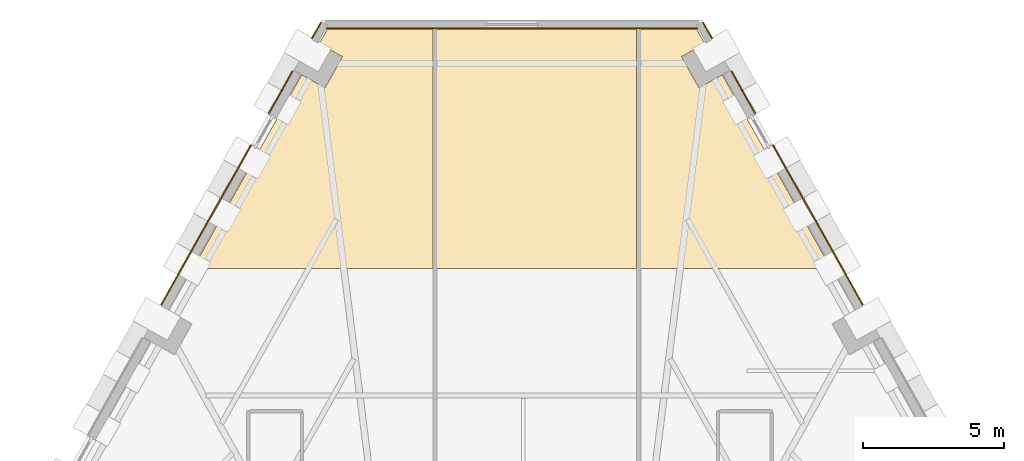
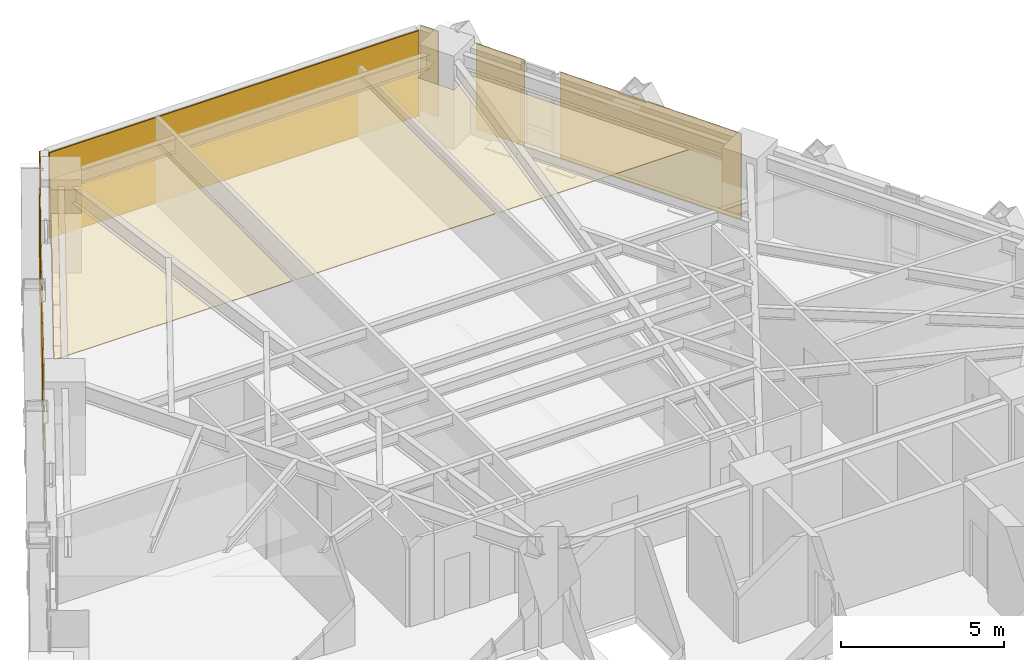
# One storey, part 13 of 13: 10 coverings.
"""IFC4 building model written with IfcOpenShell, lengths in metres."""

import ifcopenshell
import ifcopenshell.guid

model = None  # the IFC model being written
_history = None  # IfcOwnerHistory: only IFC2X3 demands one
_inside = {}  # id of a spatial element -> (the spatial element, [elements in it])
_under = {}  # id of a project, library or spatial element -> (it, [spatial elements below it])
_declared = {}  # id of a project -> (the project, [libraries it declares])
_typed = {}  # id of a type object -> (the type object, [elements of that type])
_made_of = {}  # id of a material, layer set ... -> (it, [elements and type objects made of it])


def new_model(schema):
    """Start an empty IFC model of exactly this schema.

    Asked for "IFC4X3", IfcOpenShell would pick the latest addendum, in which some entities
    have other attributes; the version numbers below select the first issue.
    IFC2X3 requires an IfcOwnerHistory on every rooted entity: one is made here for all.
    """
    global model, _history
    if schema == "IFC4X3":
        model = ifcopenshell.file(schema_version=(4, 3, 0, 0))
    else:
        model = ifcopenshell.file(schema=schema)
    _inside.clear()
    _under.clear()
    _declared.clear()
    _typed.clear()
    _made_of.clear()
    _history = None
    if model.schema == "IFC2X3":
        org = make("IfcOrganization", Name="unknown")
        user = make(
            "IfcPersonAndOrganization",
            ThePerson=make("IfcPerson", FamilyName="unknown"),
            TheOrganization=org,
        )
        app = make(
            "IfcApplication",
            ApplicationDeveloper=org,
            Version="unknown",
            ApplicationFullName="unknown",
            ApplicationIdentifier="unknown",
        )
        _history = make(
            "IfcOwnerHistory",
            OwningUser=user,
            OwningApplication=app,
            ChangeAction="ADDED",
            CreationDate=0,
        )
    return model


def make(cls, **values):
    """One entity of the class cls with the attributes given. An attribute that is None is left unset."""
    return model.create_entity(
        cls, **{name: value for name, value in values.items() if value is not None}
    )


def rooted(cls, **values):
    """An entity with a GlobalId (a new one), such as an element, a storey or a relation."""
    return make(cls, GlobalId=ifcopenshell.guid.new(), OwnerHistory=_history, **values)


def si_unit(unit_type, name, prefix=None):
    """IfcSIUnit, for example si_unit("LENGTHUNIT", "METRE", prefix="MILLI")."""
    return make("IfcSIUnit", UnitType=unit_type, Prefix=prefix, Name=name)


def assignment(units):
    """IfcUnitAssignment: the units of a project."""
    return None if units is None else make("IfcUnitAssignment", Units=units)


def point(xyz):
    """IfcCartesianPoint."""
    return None if xyz is None else make("IfcCartesianPoint", Coordinates=xyz)


def direction(xyz):
    """IfcDirection."""
    return None if xyz is None else make("IfcDirection", DirectionRatios=xyz)


def frame(location, z_axis=None, x_axis=None):
    """IfcAxis2Placement3D, a coordinate frame: its origin and axes. An axis left out is left unset."""
    return make(
        "IfcAxis2Placement3D",
        Location=point(location),
        Axis=direction(z_axis),
        RefDirection=direction(x_axis),
    )


def origin():
    """The frame at (0, 0, 0) with its axes left unset."""
    return frame((0.0, 0.0, 0.0))


def place(relative_to, where):
    """IfcLocalPlacement: puts the frame where relative to a parent placement (None: the world)."""
    return make(
        "IfcLocalPlacement", PlacementRelTo=relative_to, RelativePlacement=where
    )


def context(
    kind, dimensions, precision=None, world=None, true_north=None, identifier=None
):
    """IfcGeometricRepresentationContext, for example the 3D "Model" context."""
    return make(
        "IfcGeometricRepresentationContext",
        ContextIdentifier=identifier,
        ContextType=kind,
        CoordinateSpaceDimension=dimensions,
        Precision=precision,
        WorldCoordinateSystem=world,
        TrueNorth=true_north,
    )


def subcontext(parent, identifier, kind, view, scale=None):
    """IfcGeometricRepresentationSubContext, for example "Body" below "Model"."""
    return make(
        "IfcGeometricRepresentationSubContext",
        ContextIdentifier=identifier,
        ContextType=kind,
        ParentContext=parent,
        TargetScale=scale,
        TargetView=view,
    )


def project(units=None, contexts=None):
    """IfcProject with its units and contexts."""
    return rooted(
        "IfcProject",
        Name="project",
        RepresentationContexts=contexts,
        UnitsInContext=assignment(units),
    )


def spatial(cls, under=None, at=None, **own):
    """A site, building, storey or space (cls), placed at a placement, below another one or the project."""
    s = rooted(cls, ObjectPlacement=at, **own)
    if under is not None:
        _under.setdefault(under.id(), (under, []))[1].append(s)
    return s


def polyline(points):
    """IfcPolyline through the points."""
    return make("IfcPolyline", Points=[point(p) for p in points])


def outline(outer, holes=None, kind="AREA"):
    """IfcArbitraryClosedProfileDef: a profile drawn as a closed curve; with holes, ...WithVoids."""
    if holes is None:
        return make("IfcArbitraryClosedProfileDef", ProfileType=kind, OuterCurve=outer)
    return make(
        "IfcArbitraryProfileDefWithVoids",
        ProfileType=kind,
        OuterCurve=outer,
        InnerCurves=holes,
    )


def extrude(swept, where, along, depth):
    """IfcExtrudedAreaSolid: the profile swept, set in the frame where, extruded along a direction by depth."""
    return make(
        "IfcExtrudedAreaSolid",
        SweptArea=swept,
        Position=where,
        ExtrudedDirection=direction(along),
        Depth=depth,
    )


def shape(context_of_items, identifier, shape_type, items):
    """IfcShapeRepresentation: the items that make up one representation, for example the "Body"."""
    return make(
        "IfcShapeRepresentation",
        ContextOfItems=context_of_items,
        RepresentationIdentifier=identifier,
        RepresentationType=shape_type,
        Items=items,
    )


def material(Name=None, Category=None):
    """IfcMaterial."""
    return make("IfcMaterial", Name=Name, Category=Category)


def layer(
    of_material, thickness, ventilated=None, Name=None, Category=None, Priority=None
):
    """IfcMaterialLayer: one layer of a wall or slab, of a material (None: an air gap)."""
    return make(
        "IfcMaterialLayer",
        Material=of_material,
        LayerThickness=thickness,
        IsVentilated=ventilated,
        Name=Name,
        Category=Category,
        Priority=Priority,
    )


def layer_set(layers, Name=None):
    """IfcMaterialLayerSet."""
    return make("IfcMaterialLayerSet", MaterialLayers=layers, LayerSetName=Name)


def made_of(thing, what):
    """Note that an element or type object is made of a material, layer set ...; save() writes the relation."""
    if what is not None:
        _made_of.setdefault(what.id(), (what, []))[1].append(thing)
    return thing


def type_object(cls, material=None, **own):
    """A type object (cls), such as IfcWallType, which elements share."""
    return made_of(rooted(cls, **own), material)


def element(
    cls,
    number,
    at=None,
    inside=None,
    cuts=None,
    type_object=None,
    material=None,
    context=None,
    identifier="Body",
    shape_type=None,
    held_by="IfcProductDefinitionShape",
    body=None,
    shapes=None,
    **own,
):
    """One element of the class cls, such as IfcWall. Its Tag is "e" and its number.

    at: its placement. inside: the storey or other place that contains it. cuts: it is an
    opening in that element (IfcRelVoidsElement). A single representation is given by context,
    identifier, shape_type and body (its items); several are given by shapes. held_by: the class
    of the entity that holds the representations. save() writes the other relations.
    """
    e = rooted(cls, Tag="e%d" % number, ObjectPlacement=at, **own)
    if body is not None:
        shapes = [shape(context, identifier, shape_type, body)]
    if shapes is not None:
        e.Representation = make(held_by, Representations=shapes)
    if inside is not None:
        _inside.setdefault(inside.id(), (inside, []))[1].append(e)
    if cuts is not None:
        rooted(
            "IfcRelVoidsElement", RelatingBuildingElement=cuts, RelatedOpeningElement=e
        )
    if type_object is not None:
        _typed.setdefault(type_object.id(), (type_object, []))[1].append(e)
    return made_of(e, material)


def aggregate(whole, parts):
    """IfcRelAggregates: a whole, such as a stair, and the parts it consists of."""
    return rooted("IfcRelAggregates", RelatingObject=whole, RelatedObjects=parts)


def save(model, path):
    """Write the relations noted so far, then the file.

    IfcRelAggregates (storeys below a building ...), IfcRelContainedInSpatialStructure (elements
    in a storey), IfcRelDefinesByType, IfcRelAssociatesMaterial and IfcRelDeclares: one each for
    every whole, place, type object, material and project.
    """
    for whole, parts in _under.values():
        aggregate(whole, parts)
    for where, things in _inside.values():
        rooted(
            "IfcRelContainedInSpatialStructure",
            RelatedElements=things,
            RelatingStructure=where,
        )
    for kind, things in _typed.values():
        rooted("IfcRelDefinesByType", RelatedObjects=things, RelatingType=kind)
    for what, things in _made_of.values():
        rooted("IfcRelAssociatesMaterial", RelatedObjects=things, RelatingMaterial=what)
    for by, libraries in _declared.values():
        rooted("IfcRelDeclares", RelatingContext=by, RelatedDefinitions=libraries)
    model.write(path)


model = new_model("IFC4")

# Units and contexts
model_context = context("Model", 3, precision=1e-05, world=origin(), true_north=direction((0.0, 1.0)))
body_context = subcontext(model_context, "Body", "Model", "MODEL_VIEW")
ifc_project = project(units=[si_unit("LENGTHUNIT", "METRE"), si_unit("AREAUNIT", "SQUARE_METRE"), si_unit("VOLUMEUNIT", "CUBIC_METRE"), si_unit("PLANEANGLEUNIT", "RADIAN"), si_unit("MASSUNIT", "GRAM", prefix="KILO")], contexts=[model_context])

# Site, building, storey
site_placement = place(None, origin())
site = spatial("IfcSite", under=ifc_project, at=site_placement, CompositionType="ELEMENT")
building_placement = place(site_placement, origin())
building = spatial("IfcBuilding", under=site, at=building_placement, Name="Quenlor Broadcast Tower", CompositionType="ELEMENT")
storey_placement = place(building_placement, frame((0.0, 0.0, 66.10009765625)))
storey = spatial("IfcBuildingStorey", under=building, at=storey_placement, Name="L17", CompositionType="ELEMENT", Elevation=66.10009765625)

# Coverings
ifc_material_1 = material(Name="Acoustic Mineral Fibre Board", Category="other")
ifc_layer_1 = layer(ifc_material_1, 0.02490234375)
ifc_layer_set_1 = layer_set([ifc_layer_1], Name="Acoustic Perforated Mineral Tile Ceiling 25")
covering_type_1 = type_object("IfcCoveringType", Name="Acoustic Perforated Mineral Tile Ceiling 25", PredefinedType="CEILING", material=ifc_layer_set_1)
covering_1_placement = place(storey_placement, frame((0.0, 0.0, 2.224853515625)))
element("IfcCovering", 1, at=covering_1_placement, inside=storey, type_object=covering_type_1, Name="L17 Acoustic Ceiling L17-33-2", PredefinedType="CEILING", context=body_context, shape_type="SweptSolid", body=[
    extrude(outline(polyline([(-7.431396484375, 19.4951171875), (-6.609619140625, 19.03271484375), (-5.989013671875, 20.135986328125), (-6.810791015625, 20.598388671875), (-6.533203125, 21.092041015625), (-2.800048828125, 21.092041015625), (-2.800048828125, 12.64990234375), (-11.28173828125, 12.64990234375), (-7.431396484375, 19.4951171875)])), origin(), (0.0, 0.0, 1.0), 0.025146484375),
])
covering_2_placement = place(storey_placement, frame((0.0, 0.0, 2.224853515625)))
element("IfcCovering", 2, at=covering_2_placement, inside=storey, type_object=covering_type_1, Name="L17 Acoustic Ceiling L17-34-2", PredefinedType="CEILING", context=body_context, shape_type="SweptSolid", body=[
    extrude(outline(polyline([(-2.679931640625, 21.092041015625), (4.39990234375, 21.092041015625), (4.39990234375, 12.64990234375), (-2.679931640625, 12.64990234375), (-2.679931640625, 21.092041015625)])), origin(), (0.0, 0.0, 1.0), 0.025146484375),
])
covering_3_placement = place(storey_placement, frame((0.0, 0.0, 2.224853515625)))
element("IfcCovering", 3, at=covering_3_placement, inside=storey, type_object=covering_type_1, Name="L17 Acoustic Ceiling L17-35-2", PredefinedType="CEILING", context=body_context, shape_type="SweptSolid", body=[
    extrude(outline(polyline([(6.609619140625, 19.03271484375), (7.431396484375, 19.4951171875), (11.28173828125, 12.64990234375), (4.52001953125, 12.64990234375), (4.52001953125, 21.092041015625), (6.533203125, 21.092041015625), (6.810791015625, 20.598388671875), (5.989013671875, 20.135986328125), (6.609619140625, 19.03271484375)])), origin(), (0.0, 0.0, 1.0), 0.025146484375),
])
ifc_material_2 = material(Name="Architectural Terracotta Ceramic", Category="masonry")
ifc_layer_2 = layer(ifc_material_2, 0.044921875)
ifc_layer_set_2 = layer_set([ifc_layer_2], Name="Fluted Terracotta Rainscreen Cladding Panel")
covering_type_2 = type_object("IfcCoveringType", Name="Fluted Terracotta Rainscreen Cladding Panel", PredefinedType="CLADDING", material=ifc_layer_set_2)
covering_4_placement = place(storey_placement, frame((0.0, 0.0, 0.02001953125)))
element("IfcCovering", 4, at=covering_4_placement, inside=storey, type_object=covering_type_2, Name="L17 Terracotta Rainscreen Cladding L17-SHD-NES0", PredefinedType="CLADDING", context=body_context, shape_type="SweptSolid", body=[
    extrude(outline(polyline([(6.734130859375, 21.330078125), (7.052001953125, 20.76513671875), (7.09130859375, 20.787109375), (6.7734375, 21.35205078125), (6.734130859375, 21.330078125)])), origin(), (0.0, 0.0, 1.0), 3.2099609375),
])
covering_5_placement = place(storey_placement, frame((0.0, 0.0, 0.02001953125)))
element("IfcCovering", 5, at=covering_5_placement, inside=storey, type_object=covering_type_2, Name="L17 Terracotta Rainscreen Cladding L17-NEA-SP1", PredefinedType="CLADDING", context=body_context, shape_type="SweptSolid", body=[
    extrude(outline(polyline([(7.735107421875, 19.612060546875), (8.580078125, 18.10986328125), (8.619384765625, 18.1318359375), (7.7744140625, 19.634033203125), (7.735107421875, 19.612060546875)])), origin(), (0.0, 0.0, 1.0), 3.2099609375),
])
covering_6_placement = place(storey_placement, frame((0.0, 0.0, 0.02001953125)))
element("IfcCovering", 6, at=covering_6_placement, inside=storey, type_object=covering_type_2, Name="L17 Terracotta Rainscreen Cladding L17-NEA-SP2", PredefinedType="CLADDING", context=body_context, shape_type="SweptSolid", body=[
    extrude(outline(polyline([(9.201416015625, 17.005126953125), (12.380615234375, 11.353515625), (12.419677734375, 11.37548828125), (9.240478515625, 17.027099609375), (9.201416015625, 17.005126953125)])), origin(), (0.0, 0.0, 1.0), 3.2099609375),
])
covering_7_placement = place(storey_placement, frame((0.0, 0.0, 0.02001953125)))
element("IfcCovering", 7, at=covering_7_placement, inside=storey, type_object=covering_type_2, Name="L17 Terracotta Rainscreen Cladding L17-SHD-NWS1", PredefinedType="CLADDING", context=body_context, shape_type="SweptSolid", body=[
    extrude(outline(polyline([(-7.052001953125, 20.76513671875), (-6.734130859375, 21.330078125), (-6.7734375, 21.35205078125), (-7.09130859375, 20.787109375), (-7.052001953125, 20.76513671875)])), origin(), (0.0, 0.0, 1.0), 3.2099609375),
])
covering_8_placement = place(storey_placement, frame((0.0, 0.0, 0.02001953125)))
element("IfcCovering", 8, at=covering_8_placement, inside=storey, type_object=covering_type_2, Name="L17 Terracotta Rainscreen Cladding L17-NWC-SP1", PredefinedType="CLADDING", context=body_context, shape_type="SweptSolid", body=[
    extrude(outline(polyline([(-12.380615234375, 11.353515625), (-9.201416015625, 17.005126953125), (-9.240478515625, 17.027099609375), (-12.419677734375, 11.37548828125), (-12.380615234375, 11.353515625)])), origin(), (0.0, 0.0, 1.0), 3.2099609375),
])
covering_9_placement = place(storey_placement, frame((0.0, 0.0, 0.02001953125)))
element("IfcCovering", 9, at=covering_9_placement, inside=storey, type_object=covering_type_2, Name="L17 Terracotta Rainscreen Cladding L17-NWC-SP2", PredefinedType="CLADDING", context=body_context, shape_type="SweptSolid", body=[
    extrude(outline(polyline([(-8.580078125, 18.10986328125), (-7.735107421875, 19.612060546875), (-7.7744140625, 19.634033203125), (-8.619384765625, 18.1318359375), (-8.580078125, 18.10986328125)])), origin(), (0.0, 0.0, 1.0), 3.2099609375),
])
covering_10_placement = place(storey_placement, frame((0.0, 0.0, 0.02001953125)))
element("IfcCovering", 10, at=covering_10_placement, inside=storey, type_object=covering_type_2, Name="L17 Terracotta Rainscreen Cladding L17-CNR-02", PredefinedType="CLADDING", context=body_context, shape_type="SweptSolid", body=[
    extrude(outline(polyline([(6.568359375, 21.159912109375), (-6.558349609375, 21.159912109375), (-6.558349609375, 21.114990234375), (6.568359375, 21.114990234375), (6.568359375, 21.159912109375)])), origin(), (0.0, 0.0, 1.0), 3.2099609375),
])

save(model, "model.ifc")
